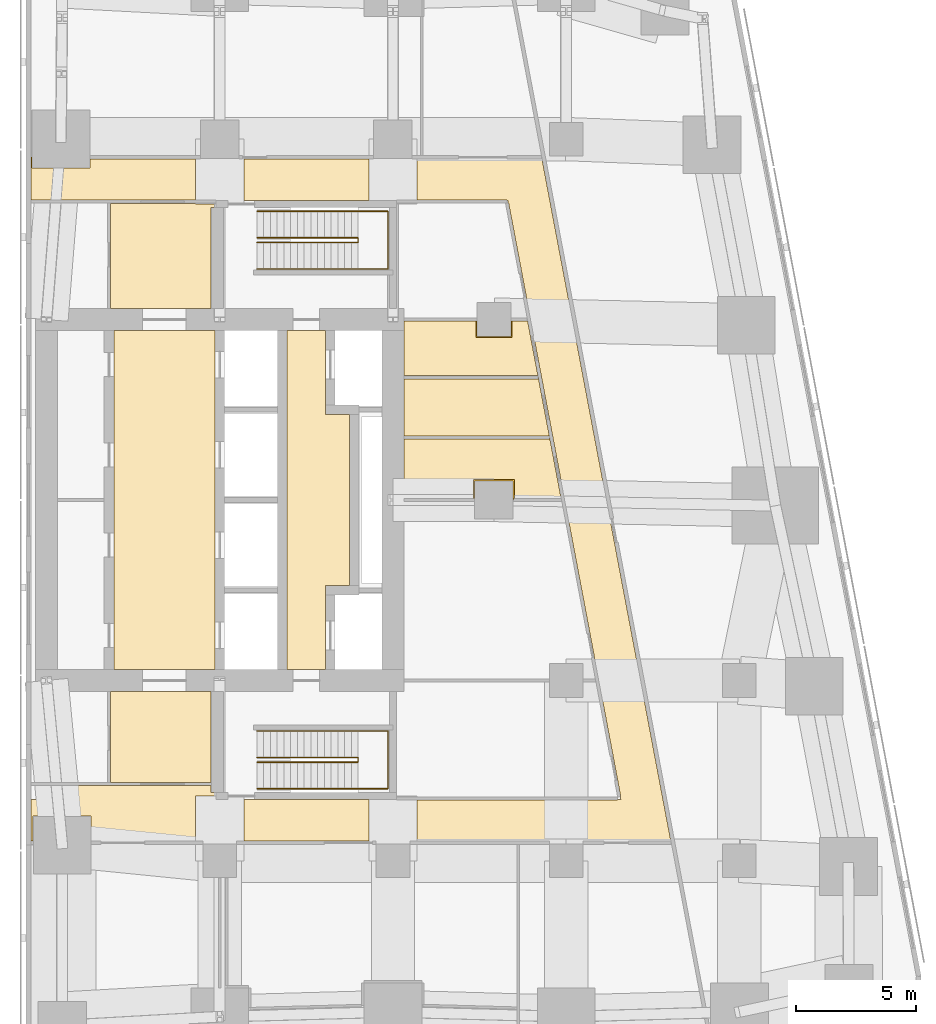
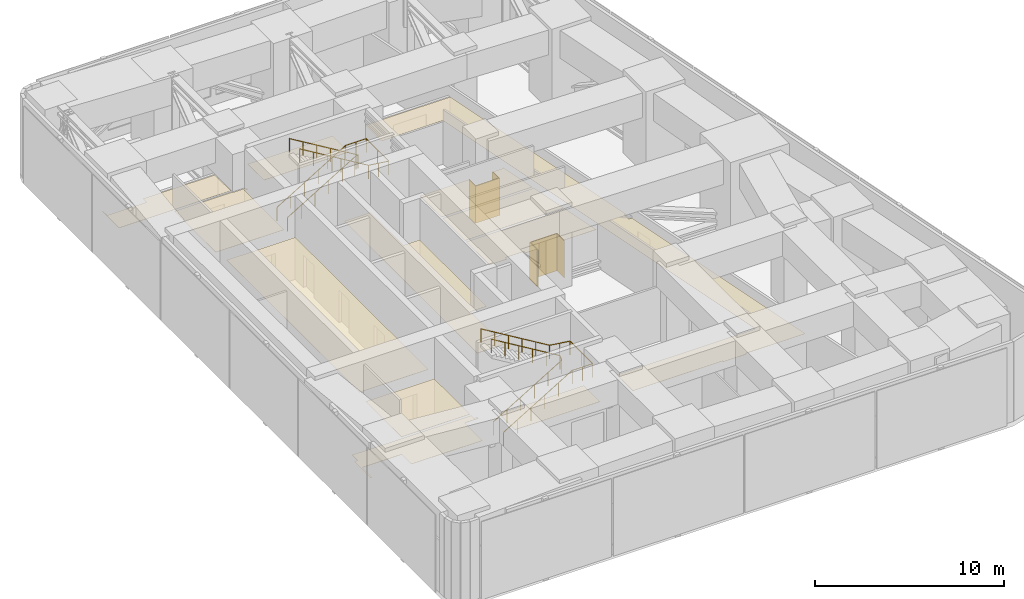
# One storey, part 9 of 9: 14 coverings, 4 railings.
"""IFC4 building model written with IfcOpenShell, lengths in metres."""

from ifc_helpers import new_model, si_unit, direction, frame, origin, origin_2d, place, context, subcontext, project, spatial, polyline, circle, outline, extrude, material, layer, layer_set, type_object, element, save


model = new_model("IFC4")

# Units and contexts
model_context = context("Model", 3, precision=1e-05, world=origin(), true_north=direction((0.0, 1.0)))
body_context = subcontext(model_context, "Body", "Model", "MODEL_VIEW")
ifc_project = project(units=[si_unit("LENGTHUNIT", "METRE"), si_unit("AREAUNIT", "SQUARE_METRE"), si_unit("VOLUMEUNIT", "CUBIC_METRE"), si_unit("PLANEANGLEUNIT", "RADIAN"), si_unit("MASSUNIT", "GRAM", prefix="KILO")], contexts=[model_context])

# Site, building, storey
site_placement = place(None, origin())
site = spatial("IfcSite", under=ifc_project, at=site_placement, CompositionType="ELEMENT")
building_placement = place(site_placement, origin())
building = spatial("IfcBuilding", under=site, at=building_placement, Name="Sheger Commons Tower", CompositionType="ELEMENT")
storey_placement = place(building_placement, frame((0.0, 0.0, 246.199951171875)))
storey = spatial("IfcBuildingStorey", under=building, at=storey_placement, Name="L63", CompositionType="ELEMENT", Elevation=246.199951171875)

# Railings
ifc_material_1 = material(Name="Steel handrail, black powder-coated", Category="steel")
railing_type = type_object("IfcRailingType", Name="HANDRAIL 900", PredefinedType="HANDRAIL", material=ifc_material_1)
railing_1_placement = place(storey_placement, frame((23.14990234375, 11.60009765625, 0.168701171875)))
element("IfcRailing", 1, at=railing_1_placement, inside=storey, type_object=railing_type, Name="Stair S1 handrail L63", PredefinedType="HANDRAIL", context=body_context, shape_type="SweptSolid", body=[
    extrude(circle(Radius=0.02392578125, at=origin_2d()), frame((0.0, 0.0, 0.8759765625), z_axis=(0.856489757249, 0.0, 0.516164020179), x_axis=(0.0, 1.0, 0.0)), (0.0, 0.0, 1.0), 4.904052734375),
    extrude(circle(Radius=0.02392578125, at=origin_2d()), frame((4.2001953125, 0.0, 3.4072265625), z_axis=(0.0, 0.76384598821, 0.645398563909), x_axis=(-1.0, 0.0, 0.0)), (0.0, 0.0, 1.0), 0.26171875),
    extrude(circle(Radius=0.02392578125, at=origin_2d()), frame((4.2001953125, 0.199951171875, 3.576171875), z_axis=(-0.856489757249, 0.0, 0.516164020179), x_axis=(0.0, -1.0, 0.0)), (0.0, 0.0, 1.0), 4.904052734375),
    extrude(circle(Radius=0.02099609375, at=origin_2d()), origin(), (0.0, 0.0, 1.0), 0.851806640625),
    extrude(circle(Radius=0.02099609375, at=origin_2d()), frame((0.840087890625, 0.0, 0.50634765625)), (0.0, 0.0, 1.0), 0.851806640625),
    extrude(circle(Radius=0.02099609375, at=origin_2d()), frame((1.68017578125, 0.0, 1.012451171875)), (0.0, 0.0, 1.0), 0.851806640625),
    extrude(circle(Radius=0.02099609375, at=origin_2d()), frame((2.52001953125, 0.0, 1.518798828125)), (0.0, 0.0, 1.0), 0.851806640625),
    extrude(circle(Radius=0.02099609375, at=origin_2d()), frame((3.360107421875, 0.0, 2.02490234375)), (0.0, 0.0, 1.0), 0.851806640625),
    extrude(circle(Radius=0.02099609375, at=origin_2d()), frame((4.2001953125, 0.0, 2.53125)), (0.0, 0.0, 1.0), 0.851806640625),
    extrude(circle(Radius=0.02099609375, at=origin_2d()), frame((4.2001953125, 0.199951171875, 2.7001953125)), (0.0, 0.0, 1.0), 0.851806640625),
    extrude(circle(Radius=0.02099609375, at=origin_2d()), frame((3.360107421875, 0.199951171875, 3.20654296875)), (0.0, 0.0, 1.0), 0.851806640625),
    extrude(circle(Radius=0.02099609375, at=origin_2d()), frame((2.52001953125, 0.199951171875, 3.712646484375)), (0.0, 0.0, 1.0), 0.851806640625),
    extrude(circle(Radius=0.02099609375, at=origin_2d()), frame((1.68017578125, 0.199951171875, 4.218994140625)), (0.0, 0.0, 1.0), 0.851806640625),
    extrude(circle(Radius=0.02099609375, at=origin_2d()), frame((0.840087890625, 0.199951171875, 4.72509765625)), (0.0, 0.0, 1.0), 0.851806640625),
    extrude(circle(Radius=0.02099609375, at=origin_2d()), frame((0.0, 0.199951171875, 5.2314453125)), (0.0, 0.0, 1.0), 0.851806640625),
])
railing_2_placement = place(storey_placement, frame((23.14990234375, 10.5, 0.168701171875)))
element("IfcRailing", 2, at=railing_2_placement, inside=storey, type_object=railing_type, Name="Stair S1 handrail L63", PredefinedType="HANDRAIL", context=body_context, shape_type="SweptSolid", body=[
    extrude(circle(Radius=0.02392578125, at=origin_2d()), frame((0.0, 0.0, 0.8759765625), z_axis=(0.856489757249, 0.0, 0.516164020179), x_axis=(0.0, 1.0, 0.0)), (0.0, 0.0, 1.0), 4.904052734375),
    extrude(circle(Radius=0.02392578125, at=origin_2d()), frame((4.2001953125, 0.0, 3.4072265625), z_axis=(1.0, 0.0, 0.0), x_axis=(0.0, 1.0, 0.0)), (0.0, 0.0, 1.0), 1.25),
    extrude(circle(Radius=0.02392578125, at=origin_2d()), frame((5.4501953125, 0.0, 3.4072265625), z_axis=(0.0, 1.0, 0.0), x_axis=(-1.0, 0.0, 0.0)), (0.0, 0.0, 1.0), 2.39990234375),
    extrude(circle(Radius=0.02392578125, at=origin_2d()), frame((5.4501953125, 2.39990234375, 3.4072265625), z_axis=(-0.990989653258, 0.0, 0.133938445323), x_axis=(0.0, -1.0, 0.0)), (0.0, 0.0, 1.0), 1.261474609375),
    extrude(circle(Radius=0.02392578125, at=origin_2d()), frame((4.2001953125, 2.39990234375, 3.576171875), z_axis=(-0.856489757249, 0.0, 0.516164020179), x_axis=(0.0, -1.0, 0.0)), (0.0, 0.0, 1.0), 4.904052734375),
    extrude(circle(Radius=0.02099609375, at=origin_2d()), origin(), (0.0, 0.0, 1.0), 0.851806640625),
    extrude(circle(Radius=0.02099609375, at=origin_2d()), frame((0.840087890625, 0.0, 0.50634765625)), (0.0, 0.0, 1.0), 0.851806640625),
    extrude(circle(Radius=0.02099609375, at=origin_2d()), frame((1.68017578125, 0.0, 1.012451171875)), (0.0, 0.0, 1.0), 0.851806640625),
    extrude(circle(Radius=0.02099609375, at=origin_2d()), frame((2.52001953125, 0.0, 1.518798828125)), (0.0, 0.0, 1.0), 0.851806640625),
    extrude(circle(Radius=0.02099609375, at=origin_2d()), frame((3.360107421875, 0.0, 2.02490234375)), (0.0, 0.0, 1.0), 0.851806640625),
    extrude(circle(Radius=0.02099609375, at=origin_2d()), frame((4.2001953125, 0.0, 2.53125)), (0.0, 0.0, 1.0), 0.851806640625),
    extrude(circle(Radius=0.02099609375, at=origin_2d()), frame((4.8251953125, 0.0, 2.53125)), (0.0, 0.0, 1.0), 0.851806640625),
    extrude(circle(Radius=0.02099609375, at=origin_2d()), frame((5.4501953125, 0.0, 2.53125)), (0.0, 0.0, 1.0), 0.851806640625),
    extrude(circle(Radius=0.02099609375, at=origin_2d()), frame((5.4501953125, 1.199951171875, 2.53125)), (0.0, 0.0, 1.0), 0.851806640625),
    extrude(circle(Radius=0.02099609375, at=origin_2d()), frame((5.4501953125, 2.39990234375, 2.53125)), (0.0, 0.0, 1.0), 0.851806640625),
    extrude(circle(Radius=0.02099609375, at=origin_2d()), frame((4.8251953125, 2.39990234375, 2.61572265625)), (0.0, 0.0, 1.0), 0.851806640625),
    extrude(circle(Radius=0.02099609375, at=origin_2d()), frame((4.2001953125, 2.39990234375, 2.7001953125)), (0.0, 0.0, 1.0), 0.851806640625),
    extrude(circle(Radius=0.02099609375, at=origin_2d()), frame((3.360107421875, 2.39990234375, 3.20654296875)), (0.0, 0.0, 1.0), 0.851806640625),
    extrude(circle(Radius=0.02099609375, at=origin_2d()), frame((2.52001953125, 2.39990234375, 3.712646484375)), (0.0, 0.0, 1.0), 0.851806640625),
    extrude(circle(Radius=0.02099609375, at=origin_2d()), frame((1.68017578125, 2.39990234375, 4.218994140625)), (0.0, 0.0, 1.0), 0.851806640625),
    extrude(circle(Radius=0.02099609375, at=origin_2d()), frame((0.840087890625, 2.39990234375, 4.72509765625)), (0.0, 0.0, 1.0), 0.851806640625),
    extrude(circle(Radius=0.02099609375, at=origin_2d()), frame((0.0, 2.39990234375, 5.2314453125)), (0.0, 0.0, 1.0), 0.851806640625),
])
railing_3_placement = place(storey_placement, frame((23.14990234375, 33.39990234375, 0.168701171875)))
element("IfcRailing", 3, at=railing_3_placement, inside=storey, type_object=railing_type, Name="Stair S2 handrail L63", PredefinedType="HANDRAIL", context=body_context, shape_type="SweptSolid", body=[
    extrude(circle(Radius=0.02392578125, at=origin_2d()), frame((0.0, 0.0, 0.8759765625), z_axis=(0.856489757249, 0.0, 0.516164020179), x_axis=(0.0, 1.0, 0.0)), (0.0, 0.0, 1.0), 4.904052734375),
    extrude(circle(Radius=0.02392578125, at=origin_2d()), frame((4.2001953125, 0.0, 3.4072265625), z_axis=(0.0, -0.76384598821, 0.645398563909), x_axis=(1.0, 0.0, 0.0)), (0.0, 0.0, 1.0), 0.26171875),
    extrude(circle(Radius=0.02392578125, at=origin_2d()), frame((4.2001953125, -0.199951171875, 3.576171875), z_axis=(-0.856489757249, 0.0, 0.516164020179), x_axis=(0.0, -1.0, 0.0)), (0.0, 0.0, 1.0), 4.904052734375),
    extrude(circle(Radius=0.02099609375, at=origin_2d()), origin(), (0.0, 0.0, 1.0), 0.851806640625),
    extrude(circle(Radius=0.02099609375, at=origin_2d()), frame((0.840087890625, 0.0, 0.50634765625)), (0.0, 0.0, 1.0), 0.851806640625),
    extrude(circle(Radius=0.02099609375, at=origin_2d()), frame((1.68017578125, 0.0, 1.012451171875)), (0.0, 0.0, 1.0), 0.851806640625),
    extrude(circle(Radius=0.02099609375, at=origin_2d()), frame((2.52001953125, 0.0, 1.518798828125)), (0.0, 0.0, 1.0), 0.851806640625),
    extrude(circle(Radius=0.02099609375, at=origin_2d()), frame((3.360107421875, 0.0, 2.02490234375)), (0.0, 0.0, 1.0), 0.851806640625),
    extrude(circle(Radius=0.02099609375, at=origin_2d()), frame((4.2001953125, 0.0, 2.53125)), (0.0, 0.0, 1.0), 0.851806640625),
    extrude(circle(Radius=0.02099609375, at=origin_2d()), frame((4.2001953125, -0.199951171875, 2.7001953125)), (0.0, 0.0, 1.0), 0.851806640625),
    extrude(circle(Radius=0.02099609375, at=origin_2d()), frame((3.360107421875, -0.199951171875, 3.20654296875)), (0.0, 0.0, 1.0), 0.851806640625),
    extrude(circle(Radius=0.02099609375, at=origin_2d()), frame((2.52001953125, -0.199951171875, 3.712646484375)), (0.0, 0.0, 1.0), 0.851806640625),
    extrude(circle(Radius=0.02099609375, at=origin_2d()), frame((1.68017578125, -0.199951171875, 4.218994140625)), (0.0, 0.0, 1.0), 0.851806640625),
    extrude(circle(Radius=0.02099609375, at=origin_2d()), frame((0.840087890625, -0.199951171875, 4.72509765625)), (0.0, 0.0, 1.0), 0.851806640625),
    extrude(circle(Radius=0.02099609375, at=origin_2d()), frame((0.0, -0.199951171875, 5.2314453125)), (0.0, 0.0, 1.0), 0.851806640625),
])
railing_4_placement = place(storey_placement, frame((23.14990234375, 34.5, 0.168701171875)))
element("IfcRailing", 4, at=railing_4_placement, inside=storey, type_object=railing_type, Name="Stair S2 handrail L63", PredefinedType="HANDRAIL", context=body_context, shape_type="SweptSolid", body=[
    extrude(circle(Radius=0.02392578125, at=origin_2d()), frame((0.0, 0.0, 0.8759765625), z_axis=(0.856489757249, 0.0, 0.516164020179), x_axis=(0.0, 1.0, 0.0)), (0.0, 0.0, 1.0), 4.904052734375),
    extrude(circle(Radius=0.02392578125, at=origin_2d()), frame((4.2001953125, 0.0, 3.4072265625), z_axis=(1.0, 0.0, 0.0), x_axis=(0.0, 1.0, 0.0)), (0.0, 0.0, 1.0), 1.25),
    extrude(circle(Radius=0.02392578125, at=origin_2d()), frame((5.4501953125, 0.0, 3.4072265625), z_axis=(0.0, -1.0, 0.0), x_axis=(1.0, 0.0, 0.0)), (0.0, 0.0, 1.0), 2.39990234375),
    extrude(circle(Radius=0.02392578125, at=origin_2d()), frame((5.4501953125, -2.39990234375, 3.4072265625), z_axis=(-0.990989653258, 0.0, 0.133938445323), x_axis=(0.0, -1.0, 0.0)), (0.0, 0.0, 1.0), 1.261474609375),
    extrude(circle(Radius=0.02392578125, at=origin_2d()), frame((4.2001953125, -2.39990234375, 3.576171875), z_axis=(-0.856489757249, 0.0, 0.516164020179), x_axis=(0.0, -1.0, 0.0)), (0.0, 0.0, 1.0), 4.904052734375),
    extrude(circle(Radius=0.02099609375, at=origin_2d()), origin(), (0.0, 0.0, 1.0), 0.851806640625),
    extrude(circle(Radius=0.02099609375, at=origin_2d()), frame((0.840087890625, 0.0, 0.50634765625)), (0.0, 0.0, 1.0), 0.851806640625),
    extrude(circle(Radius=0.02099609375, at=origin_2d()), frame((1.68017578125, 0.0, 1.012451171875)), (0.0, 0.0, 1.0), 0.851806640625),
    extrude(circle(Radius=0.02099609375, at=origin_2d()), frame((2.52001953125, 0.0, 1.518798828125)), (0.0, 0.0, 1.0), 0.851806640625),
    extrude(circle(Radius=0.02099609375, at=origin_2d()), frame((3.360107421875, 0.0, 2.02490234375)), (0.0, 0.0, 1.0), 0.851806640625),
    extrude(circle(Radius=0.02099609375, at=origin_2d()), frame((4.2001953125, 0.0, 2.53125)), (0.0, 0.0, 1.0), 0.851806640625),
    extrude(circle(Radius=0.02099609375, at=origin_2d()), frame((4.8251953125, 0.0, 2.53125)), (0.0, 0.0, 1.0), 0.851806640625),
    extrude(circle(Radius=0.02099609375, at=origin_2d()), frame((5.4501953125, 0.0, 2.53125)), (0.0, 0.0, 1.0), 0.851806640625),
    extrude(circle(Radius=0.02099609375, at=origin_2d()), frame((5.4501953125, -1.199951171875, 2.53125)), (0.0, 0.0, 1.0), 0.851806640625),
    extrude(circle(Radius=0.02099609375, at=origin_2d()), frame((5.4501953125, -2.39990234375, 2.53125)), (0.0, 0.0, 1.0), 0.851806640625),
    extrude(circle(Radius=0.02099609375, at=origin_2d()), frame((4.8251953125, -2.39990234375, 2.61572265625)), (0.0, 0.0, 1.0), 0.851806640625),
    extrude(circle(Radius=0.02099609375, at=origin_2d()), frame((4.2001953125, -2.39990234375, 2.7001953125)), (0.0, 0.0, 1.0), 0.851806640625),
    extrude(circle(Radius=0.02099609375, at=origin_2d()), frame((3.360107421875, -2.39990234375, 3.20654296875)), (0.0, 0.0, 1.0), 0.851806640625),
    extrude(circle(Radius=0.02099609375, at=origin_2d()), frame((2.52001953125, -2.39990234375, 3.712646484375)), (0.0, 0.0, 1.0), 0.851806640625),
    extrude(circle(Radius=0.02099609375, at=origin_2d()), frame((1.68017578125, -2.39990234375, 4.218994140625)), (0.0, 0.0, 1.0), 0.851806640625),
    extrude(circle(Radius=0.02099609375, at=origin_2d()), frame((0.840087890625, -2.39990234375, 4.72509765625)), (0.0, 0.0, 1.0), 0.851806640625),
    extrude(circle(Radius=0.02099609375, at=origin_2d()), frame((0.0, -2.39990234375, 5.2314453125)), (0.0, 0.0, 1.0), 0.851806640625),
])

# Coverings
ifc_material_2 = material(Name="Moisture-resistant gypsum plasterboard 15 mm on a suspended galvanised steel grid", Category="steel")
ifc_layer_1 = layer(ifc_material_2, 0.014892578125)
ifc_layer_set_1 = layer_set([ifc_layer_1], Name="MOISTURE-RESISTANT CEILING 15")
covering_type_1 = type_object("IfcCoveringType", Name="MOISTURE-RESISTANT CEILING 15", PredefinedType="CEILING", material=ifc_layer_set_1)
covering_1_placement = place(storey_placement, frame((0.0, 0.0, 2.400146484375)))
element("IfcCovering", 5, at=covering_1_placement, inside=storey, type_object=covering_type_1, Name="L63-SVE2 ceiling", PredefinedType="CEILING", context=body_context, shape_type="SweptSolid", body=[
    extrude(outline(polyline([(29.2548828125, 22.56689453125), (30.322998046875, 22.56689453125), (30.322998046875, 22.73193359375), (31.462890625, 22.73193359375), (31.462890625, 22.56689453125), (32.195068359375, 22.56689453125), (32.195068359375, 23.304931640625), (33.804931640625, 23.304931640625), (33.804931640625, 22.56689453125), (35.7900390625, 22.56689453125), (35.31201171875, 25.097900390625), (35.31005859375, 25.097900390625), (35.31005859375, 25.032958984375), (29.2548828125, 25.032958984375), (29.2548828125, 22.56689453125)])), origin(), (0.0, 0.0, 1.0), 0.014892578125),
])
covering_2_placement = place(storey_placement, frame((0.0, 0.0, 2.400146484375)))
element("IfcCovering", 6, at=covering_2_placement, inside=storey, type_object=covering_type_1, Name="L63-SVE2b ceiling", PredefinedType="CEILING", context=body_context, shape_type="SweptSolid", body=[
    extrude(outline(polyline([(29.2548828125, 25.16796875), (35.299072265625, 25.16796875), (34.840087890625, 27.596923828125), (34.837890625, 27.596923828125), (34.837890625, 27.532958984375), (29.2548828125, 27.532958984375), (29.2548828125, 25.16796875)])), origin(), (0.0, 0.0, 1.0), 0.014892578125),
])
covering_3_placement = place(storey_placement, frame((0.0, 0.0, 2.400146484375)))
element("IfcCovering", 7, at=covering_3_placement, inside=storey, type_object=covering_type_1, Name="L63-SVE2c ceiling", PredefinedType="CEILING", context=body_context, shape_type="SweptSolid", body=[
    extrude(outline(polyline([(29.2548828125, 27.66796875), (34.826904296875, 27.66796875), (34.385986328125, 30.0), (34.384033203125, 30.0), (34.384033203125, 29.93310546875), (33.705078125, 29.93310546875), (33.705078125, 29.294921875), (32.294921875, 29.294921875), (32.294921875, 29.93310546875), (29.2548828125, 29.93310546875), (29.2548828125, 27.66796875)])), origin(), (0.0, 0.0, 1.0), 0.014892578125),
])
ifc_material_3 = material(Name="Gypsum plasterboard 15 mm on a suspended steel grid", Category="steel")
ifc_layer_2 = layer(ifc_material_3, 0.014892578125)
ifc_layer_set_2 = layer_set([ifc_layer_2], Name="SUSPENDED CEILING 15")
covering_type_2 = type_object("IfcCoveringType", Name="SUSPENDED CEILING 15", PredefinedType="CEILING", material=ifc_layer_set_2)
covering_4_placement = place(storey_placement, frame((0.0, 0.0, 2.699951171875)))
element("IfcCovering", 8, at=covering_4_placement, inside=storey, type_object=covering_type_2, Name="L63-CO ceiling", PredefinedType="CEILING", context=body_context, shape_type="SweptSolid", body=[
    extrude(outline(polyline([(35.303955078125, 8.25), (36.696044921875, 8.25), (36.696044921875, 8.330078125), (40.34912109375, 8.330078125), (37.735107421875, 22.172119140625), (37.5400390625, 22.176025390625), (37.549072265625, 22.639892578125), (37.64697265625, 22.637939453125), (34.98095703125, 36.75), (34.97705078125, 36.75), (34.97705078125, 36.669921875), (29.804931640625, 36.669921875), (29.804931640625, 34.968017578125), (33.54296875, 34.968017578125), (33.54296875, 34.949951171875), (33.571044921875, 34.949951171875), (33.589111328125, 34.85205078125), (33.60595703125, 34.85498046875), (38.26904296875, 10.1708984375), (38.251953125, 10.1669921875), (38.27392578125, 10.050048828125), (38.14306640625, 10.050048828125), (38.14306640625, 10.031982421875), (29.804931640625, 10.031982421875), (29.804931640625, 8.330078125), (35.303955078125, 8.330078125), (35.303955078125, 8.25)])), origin(), (0.0, 0.0, 1.0), 0.01513671875),
])
covering_5_placement = place(storey_placement, frame((0.0, 0.0, 2.699951171875)))
element("IfcCovering", 9, at=covering_5_placement, inside=storey, type_object=covering_type_2, Name="L63-CO ceiling", PredefinedType="CEILING", context=body_context, shape_type="SweptSolid", body=[
    extrude(outline(polyline([(13.7548828125, 8.330078125), (13.84912109375, 8.330078125), (13.84912109375, 9.35888671875), (16.259033203125, 9.35888671875), (16.259033203125, 8.330078125), (20.594970703125, 8.330078125), (20.594970703125, 10.205078125), (21.445068359375, 10.205078125), (21.445068359375, 10.344970703125), (21.2451171875, 10.344970703125), (21.2451171875, 10.632080078125), (13.9599609375, 10.632080078125), (13.9599609375, 10.050048828125), (13.7548828125, 10.050048828125), (13.7548828125, 8.330078125)])), origin(), (0.0, 0.0, 1.0), 0.01513671875),
])
covering_6_placement = place(storey_placement, frame((0.0, 0.0, 2.699951171875)))
element("IfcCovering", 10, at=covering_6_placement, inside=storey, type_object=covering_type_2, Name="L63-CO ceiling", PredefinedType="CEILING", context=body_context, shape_type="SweptSolid", body=[
    extrude(outline(polyline([(22.60498046875, 8.330078125), (27.794921875, 8.330078125), (27.794921875, 10.044921875), (22.60498046875, 10.044921875), (22.60498046875, 8.330078125)])), origin(), (0.0, 0.0, 1.0), 0.01513671875),
])
covering_7_placement = place(storey_placement, frame((0.0, 0.0, 2.699951171875)))
element("IfcCovering", 11, at=covering_7_placement, inside=storey, type_object=covering_type_2, Name="L63-CO ceiling", PredefinedType="CEILING", context=body_context, shape_type="SweptSolid", body=[
    extrude(outline(polyline([(22.60498046875, 34.949951171875), (27.794921875, 34.949951171875), (27.794921875, 36.669921875), (22.60498046875, 36.669921875), (22.60498046875, 34.949951171875)])), origin(), (0.0, 0.0, 1.0), 0.01513671875),
])
covering_8_placement = place(storey_placement, frame((0.0, 0.0, 2.699951171875)))
element("IfcCovering", 12, at=covering_8_placement, inside=storey, type_object=covering_type_2, Name="L63-CO ceiling", PredefinedType="CEILING", context=body_context, shape_type="SweptSolid", body=[
    extrude(outline(polyline([(13.7548828125, 34.968017578125), (20.594970703125, 34.968017578125), (20.594970703125, 36.669921875), (16.205078125, 36.669921875), (16.205078125, 36.294921875), (13.794921875, 36.294921875), (13.794921875, 36.75), (13.7548828125, 36.75), (13.7548828125, 34.968017578125)])), origin(), (0.0, 0.0, 1.0), 0.01513671875),
])
covering_9_placement = place(storey_placement, frame((0.0, 0.0, 2.699951171875)))
element("IfcCovering", 13, at=covering_9_placement, inside=storey, type_object=covering_type_2, Name="L63-SVS1 ceiling", PredefinedType="CEILING", context=body_context, shape_type="SweptSolid", body=[
    extrude(outline(polyline([(17.056884765625, 10.76806640625), (21.2451171875, 10.76806640625), (21.2451171875, 14.544921875), (17.056884765625, 14.544921875), (17.056884765625, 10.76806640625)])), origin(), (0.0, 0.0, 1.0), 0.01513671875),
])
covering_10_placement = place(storey_placement, frame((0.0, 0.0, 2.699951171875)))
element("IfcCovering", 14, at=covering_10_placement, inside=storey, type_object=covering_type_2, Name="L63-SVN1 ceiling", PredefinedType="CEILING", context=body_context, shape_type="SweptSolid", body=[
    extrude(outline(polyline([(17.06689453125, 30.455078125), (21.2451171875, 30.455078125), (21.2451171875, 34.655029296875), (21.445068359375, 34.655029296875), (21.445068359375, 34.794921875), (20.594970703125, 34.794921875), (20.594970703125, 34.83203125), (17.06689453125, 34.83203125), (17.06689453125, 30.455078125)])), origin(), (0.0, 0.0, 1.0), 0.01513671875),
])
covering_11_placement = place(storey_placement, frame((0.0, 0.0, 2.699951171875)))
element("IfcCovering", 15, at=covering_11_placement, inside=storey, type_object=covering_type_2, Name="L63-LL ceiling", PredefinedType="CEILING", context=body_context, shape_type="SweptSolid", body=[
    extrude(outline(polyline([(17.205078125, 15.455078125), (21.39990234375, 15.455078125), (21.39990234375, 29.544921875), (17.205078125, 29.544921875), (17.205078125, 15.455078125)])), origin(), (0.0, 0.0, 1.0), 0.01513671875),
])
covering_12_placement = place(storey_placement, frame((0.0, 0.0, 2.699951171875)))
element("IfcCovering", 16, at=covering_12_placement, inside=storey, type_object=covering_type_2, Name="L63-FL ceiling", PredefinedType="CEILING", context=body_context, shape_type="SweptSolid", body=[
    extrude(outline(polyline([(24.405029296875, 15.455078125), (25.9951171875, 15.455078125), (25.9951171875, 18.955078125), (26.9951171875, 18.955078125), (26.9951171875, 26.044921875), (25.9951171875, 26.044921875), (25.9951171875, 29.544921875), (24.405029296875, 29.544921875), (24.405029296875, 15.455078125)])), origin(), (0.0, 0.0, 1.0), 0.01513671875),
])
ifc_material_4 = material(Name="Moisture-resistant gypsum board 12.5 mm on 25 mm treated timber battens, tanked and tiled", Category="wood")
ifc_layer_3 = layer(ifc_material_4, 0.050048828125)
ifc_layer_set_3 = layer_set([ifc_layer_3], Name="WET-ROOM COLUMN LINING")
covering_type_3 = type_object("IfcCoveringType", Name="WET-ROOM COLUMN LINING", PredefinedType="CLADDING", material=ifc_layer_set_3)
covering_13_placement = place(storey_placement, origin())
element("IfcCovering", 17, at=covering_13_placement, inside=storey, type_object=covering_type_3, Name="Female WC column lining C9 L63", PredefinedType="CLADDING", context=body_context, shape_type="SweptSolid", body=[
    extrude(outline(polyline([(33.85009765625, 23.35009765625), (33.85009765625, 22.56201171875), (33.801025390625, 22.56201171875), (33.801025390625, 22.5), (33.800048828125, 22.5), (33.800048828125, 23.300048828125), (32.199951171875, 23.300048828125), (32.199951171875, 22.5), (32.198974609375, 22.5), (32.198974609375, 22.56201171875), (32.14990234375, 22.56201171875), (32.14990234375, 23.35009765625), (33.85009765625, 23.35009765625)])), origin(), (0.0, 0.0, 1.0), 2.400146484375),
])
covering_14_placement = place(storey_placement, origin())
element("IfcCovering", 18, at=covering_14_placement, inside=storey, type_object=covering_type_3, Name="Accessible WC column lining C11 L63", PredefinedType="CLADDING", context=body_context, shape_type="SweptSolid", body=[
    extrude(outline(polyline([(32.300048828125, 30.0), (32.300048828125, 29.300048828125), (33.699951171875, 29.300048828125), (33.699951171875, 30.0), (33.700927734375, 30.0), (33.700927734375, 29.93798828125), (33.75, 29.93798828125), (33.75, 29.25), (32.25, 29.25), (32.25, 29.93798828125), (32.299072265625, 29.93798828125), (32.299072265625, 30.0), (32.300048828125, 30.0)])), origin(), (0.0, 0.0, 1.0), 2.400146484375),
])

save(model, "model.ifc")
